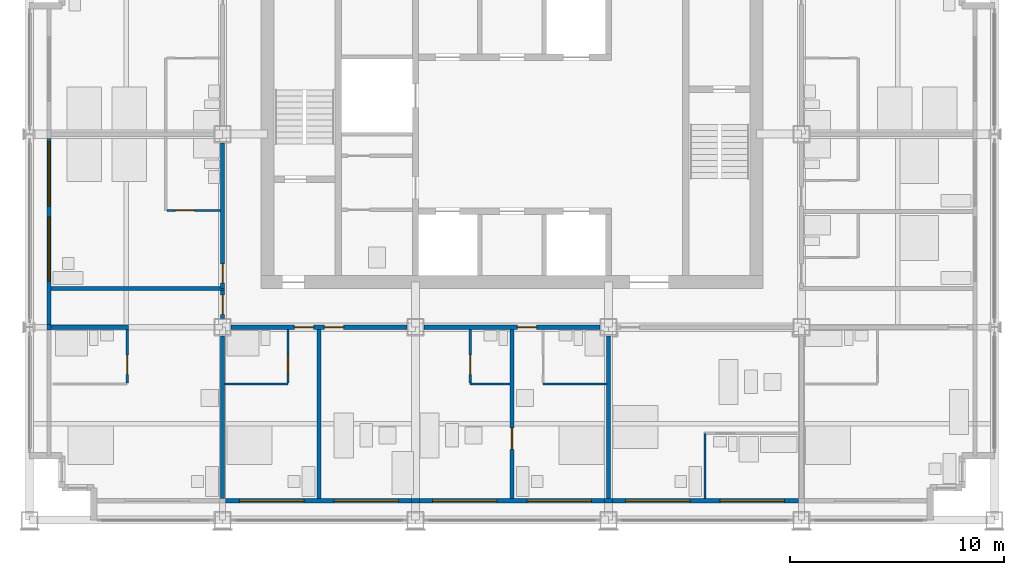
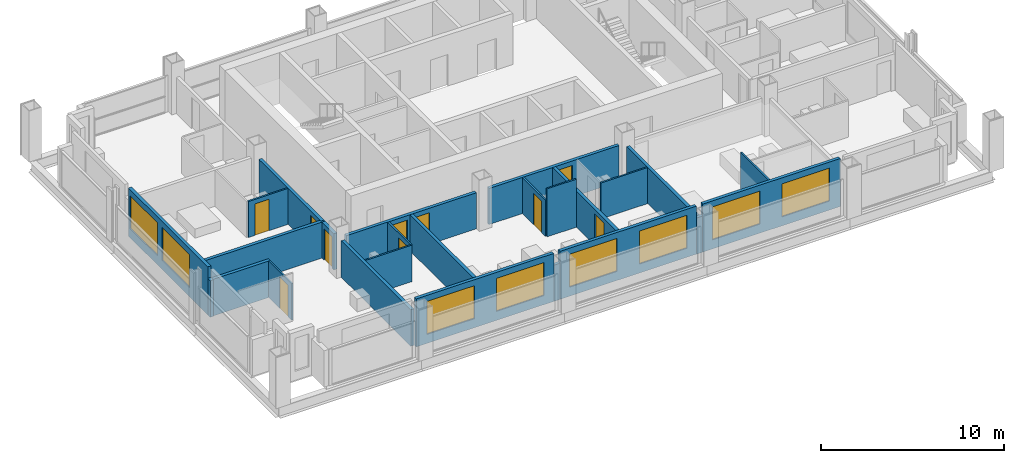
# One storey, part 7 of 13: 25 walls, 10 doors, 8 windows, 18 openings.
"""IFC4 building model written with IfcOpenShell, lengths in metres."""

from ifc_helpers import new_model, si_unit, direction, frame, frame_2d, origin, place, context, subcontext, project, spatial, rectangle, extrude, material, layer, layer_set, type_object, element, fill, save


model = new_model("IFC4")

# Units and contexts
model_context = context("Model", 3, precision=1e-05, world=origin(), true_north=direction((0.0, 1.0)))
body_context = subcontext(model_context, "Body", "Model", "MODEL_VIEW")
ifc_project = project(units=[si_unit("LENGTHUNIT", "METRE"), si_unit("AREAUNIT", "SQUARE_METRE"), si_unit("VOLUMEUNIT", "CUBIC_METRE"), si_unit("PLANEANGLEUNIT", "RADIAN"), si_unit("MASSUNIT", "GRAM", prefix="KILO")], contexts=[model_context])

# Site, building, storey
site_placement = place(None, origin())
site = spatial("IfcSite", under=ifc_project, at=site_placement, CompositionType="ELEMENT")
building_placement = place(site_placement, origin())
building = spatial("IfcBuilding", under=site, at=building_placement, Name="Loomwork Tower", CompositionType="ELEMENT")
storey_placement = place(building_placement, frame((0.0, 0.0, 201.199951171875)))
storey = spatial("IfcBuildingStorey", under=building, at=storey_placement, Name="L55", CompositionType="ELEMENT", Elevation=201.199951171875)

# Wall
ifc_material_1 = material(Name="Gypsum board on steel studs, one-hour", Category="steel")
ifc_layer_1 = layer(ifc_material_1, 0.199951171875)
ifc_layer_set_1 = layer_set([ifc_layer_1], Name="Corridor wall 200")
wall_type_1 = type_object("IfcWallType", Name="Corridor wall 200", PredefinedType="PARTITIONING", material=ifc_layer_set_1)
wall_1_placement = place(storey_placement, frame((1.0, 9.0, 0.0), z_axis=(0.0, 0.0, 1.0), x_axis=(1.0, 0.0, 0.0)))
element("IfcWall", 1, at=wall_1_placement, inside=storey, type_object=wall_type_1, Name="South corridor wall 1", PredefinedType="PARTITIONING", context=body_context, shape_type="SweptSolid", body=[
    extrude(rectangle(XDim=3.60009765625, YDim=0.199951171875, at=frame_2d((1.800048828125, 0.0))), origin(), (0.0, 0.0, 1.0), 2.43798828125),
])

# Wall, openings, doors
wall_2_placement = place(storey_placement, frame((9.39990234375, 9.0, 0.0), z_axis=(0.0, 0.0, 1.0), x_axis=(1.0, 0.0, 0.0)))
wall_2 = element("IfcWall", 2, at=wall_2_placement, inside=storey, type_object=wall_type_1, Name="South corridor wall 2", PredefinedType="PARTITIONING", context=body_context, shape_type="SweptSolid", body=[
    extrude(rectangle(XDim=8.2001953125, YDim=0.199951171875, at=frame_2d((4.10009765625, 0.0))), origin(), (0.0, 0.0, 1.0), 2.405029296875),
])
opening_1_placement = place(wall_2_placement, frame((2.949951171875, 0.0, 0.0)))
opening_1 = element("IfcOpeningElement", 3, at=opening_1_placement, cuts=wall_2, Name="Opening D1", PredefinedType="OPENING", context=body_context, shape_type="SweptSolid", body=[
    extrude(rectangle(XDim=0.89990234375, YDim=2.10009765625, at=frame_2d((0.449951171875, 1.050048828125))), frame((0.0, 0.10986328125, 0.0), z_axis=(0.0, -1.0, 0.0), x_axis=(1.0, 0.0, 0.0)), (0.0, 0.0, 1.0), 0.219970703125),
])
opening_2_placement = place(wall_2_placement, frame((4.35009765625, 0.0, 0.0)))
opening_2 = element("IfcOpeningElement", 4, at=opening_2_placement, cuts=wall_2, Name="Opening D1", PredefinedType="OPENING", context=body_context, shape_type="SweptSolid", body=[
    extrude(rectangle(XDim=0.89990234375, YDim=2.10009765625, at=frame_2d((0.449951171875, 1.050048828125))), frame((0.0, 0.10986328125, 0.0), z_axis=(0.0, -1.0, 0.0), x_axis=(1.0, 0.0, 0.0)), (0.0, 0.0, 1.0), 0.219970703125),
])
ifc_material_2 = material(Name="Hollow metal door and frame")
door_type_1 = type_object("IfcDoorType", Name="Guest room entry door 900", OperationType="SINGLE_SWING_LEFT", PredefinedType="DOOR", material=ifc_material_2)
door_1_placement = place(opening_1_placement, frame((0.89990234375, 0.0, 0.0), z_axis=(0.0, 0.0, 1.0), x_axis=(-1.0, 0.0, 0.0)))
door_1 = element("IfcDoor", 5, at=door_1_placement, inside=storey, type_object=door_type_1, Name="Guest room entry door L55 2", OperationType="SINGLE_SWING_LEFT", OverallHeight=2.10009765625, OverallWidth=0.89990234375, PredefinedType="DOOR", context=body_context, shape_type="SweptSolid", body=[
    extrude(rectangle(XDim=0.89990234375, YDim=2.10009765625, at=frame_2d((0.449951171875, 1.050048828125))), frame((0.0, 0.02490234375, 0.0), z_axis=(0.0, -1.0, 0.0), x_axis=(1.0, 0.0, 0.0)), (0.0, 0.0, 1.0), 0.050048828125),
])
fill(opening_1, door_1)
door_2_placement = place(opening_2_placement, frame((0.89990234375, 0.0, 0.0), z_axis=(0.0, 0.0, 1.0), x_axis=(-1.0, 0.0, 0.0)))
door_2 = element("IfcDoor", 6, at=door_2_placement, inside=storey, type_object=door_type_1, Name="Guest room entry door L55 3", OperationType="SINGLE_SWING_RIGHT", OverallHeight=2.10009765625, OverallWidth=0.89990234375, PredefinedType="DOOR", context=body_context, shape_type="SweptSolid", body=[
    extrude(rectangle(XDim=0.89990234375, YDim=2.10009765625, at=frame_2d((0.449951171875, 1.050048828125))), frame((0.0, 0.02490234375, 0.0), z_axis=(0.0, -1.0, 0.0), x_axis=(1.0, 0.0, 0.0)), (0.0, 0.0, 1.0), 0.050048828125),
])
fill(opening_2, door_2)

# Wall, opening, door
wall_3_placement = place(storey_placement, frame((18.39990234375, 9.0, 0.0), z_axis=(0.0, 0.0, 1.0), x_axis=(1.0, 0.0, 0.0)))
wall_3 = element("IfcWall", 7, at=wall_3_placement, inside=storey, type_object=wall_type_1, Name="South corridor wall 3", PredefinedType="PARTITIONING", context=body_context, shape_type="SweptSolid", body=[
    extrude(rectangle(XDim=8.2001953125, YDim=0.199951171875, at=frame_2d((4.10009765625, 0.0))), origin(), (0.0, 0.0, 1.0), 2.405029296875),
])
opening_3_placement = place(wall_3_placement, frame((4.35009765625, 0.0, 0.0)))
opening_3 = element("IfcOpeningElement", 8, at=opening_3_placement, cuts=wall_3, Name="Opening D1", PredefinedType="OPENING", context=body_context, shape_type="SweptSolid", body=[
    extrude(rectangle(XDim=0.89990234375, YDim=2.10009765625, at=frame_2d((0.449951171875, 1.050048828125))), frame((0.0, 0.10986328125, 0.0), z_axis=(0.0, -1.0, 0.0), x_axis=(1.0, 0.0, 0.0)), (0.0, 0.0, 1.0), 0.219970703125),
])
door_3_placement = place(opening_3_placement, frame((0.89990234375, 0.0, 0.0), z_axis=(0.0, 0.0, 1.0), x_axis=(-1.0, 0.0, 0.0)))
door_3 = element("IfcDoor", 9, at=door_3_placement, inside=storey, type_object=door_type_1, Name="Guest room entry door L55 4", OperationType="SINGLE_SWING_RIGHT", OverallHeight=2.10009765625, OverallWidth=0.89990234375, PredefinedType="DOOR", context=body_context, shape_type="SweptSolid", body=[
    extrude(rectangle(XDim=0.89990234375, YDim=2.10009765625, at=frame_2d((0.449951171875, 1.050048828125))), frame((0.0, 0.02490234375, 0.0), z_axis=(0.0, -1.0, 0.0), x_axis=(1.0, 0.0, 0.0)), (0.0, 0.0, 1.0), 0.050048828125),
])
fill(opening_3, door_3)

wall_4_placement = place(storey_placement, frame((9.0, 10.800048828125, 0.0), z_axis=(0.0, 0.0, 1.0), x_axis=(0.0, 1.0, 0.0)))
wall_4 = element("IfcWall", 10, at=wall_4_placement, inside=storey, type_object=wall_type_1, Name="West corridor wall 1", PredefinedType="PARTITIONING", context=body_context, shape_type="SweptSolid", body=[
    extrude(rectangle(XDim=6.800048828125, YDim=0.199951171875, at=frame_2d((3.39990234375, 0.0))), origin(), (0.0, 0.0, 1.0), 2.405029296875),
])
opening_4_placement = place(wall_4_placement, frame((0.25, 0.0, 0.0)))
opening_4 = element("IfcOpeningElement", 11, at=opening_4_placement, cuts=wall_4, Name="Opening D1", PredefinedType="OPENING", context=body_context, shape_type="SweptSolid", body=[
    extrude(rectangle(XDim=0.89990234375, YDim=2.10009765625, at=frame_2d((0.449951171875, 1.050048828125))), frame((0.0, 0.10986328125, 0.0), z_axis=(0.0, -1.0, 0.0), x_axis=(1.0, 0.0, 0.0)), (0.0, 0.0, 1.0), 0.219970703125),
])
door_4_placement = place(opening_4_placement, origin())
door_4 = element("IfcDoor", 12, at=door_4_placement, inside=storey, type_object=door_type_1, Name="Guest room entry door L55 7", OperationType="SINGLE_SWING_LEFT", OverallHeight=2.10009765625, OverallWidth=0.89990234375, PredefinedType="DOOR", context=body_context, shape_type="SweptSolid", body=[
    extrude(rectangle(XDim=0.89990234375, YDim=2.10009765625, at=frame_2d((0.449951171875, 1.050048828125))), frame((0.0, 0.02490234375, 0.0), z_axis=(0.0, -1.0, 0.0), x_axis=(1.0, 0.0, 0.0)), (0.0, 0.0, 1.0), 0.050048828125),
])
fill(opening_4, door_4)

# Wall
wall_5_placement = place(storey_placement, frame((1.0, 10.800048828125, 0.0), z_axis=(0.0, 0.0, 1.0), x_axis=(1.0, 0.0, 0.0)))
element("IfcWall", 13, at=wall_5_placement, inside=storey, type_object=wall_type_1, Name="West band end wall S", PredefinedType="PARTITIONING", context=body_context, shape_type="SweptSolid", body=[
    extrude(rectangle(XDim=8.10009765625, YDim=0.199951171875, at=frame_2d((4.050048828125, 0.0))), origin(), (0.0, 0.0, 1.0), 2.404052734375),
])

# Wall, opening, door
wall_6_placement = place(storey_placement, frame((9.0, 9.39990234375, 0.0), z_axis=(0.0, 0.0, 1.0), x_axis=(0.0, 1.0, 0.0)))
wall_6 = element("IfcWall", 14, at=wall_6_placement, inside=storey, type_object=wall_type_1, Name="Corner suite foyer wall", PredefinedType="PARTITIONING", context=body_context, shape_type="SweptSolid", body=[
    extrude(rectangle(XDim=1.300048828125, YDim=0.199951171875, at=frame_2d((0.64990234375, 0.0))), origin(), (0.0, 0.0, 1.0), 2.405029296875),
])
opening_5_placement = place(wall_6_placement, frame((0.199951171875, 0.0, 0.0)))
opening_5 = element("IfcOpeningElement", 15, at=opening_5_placement, cuts=wall_6, Name="Opening D1", PredefinedType="OPENING", context=body_context, shape_type="SweptSolid", body=[
    extrude(rectangle(XDim=0.89990234375, YDim=2.10009765625, at=frame_2d((0.449951171875, 1.050048828125))), frame((0.0, 0.10986328125, 0.0), z_axis=(0.0, -1.0, 0.0), x_axis=(1.0, 0.0, 0.0)), (0.0, 0.0, 1.0), 0.219970703125),
])
door_5_placement = place(opening_5_placement, origin())
door_5 = element("IfcDoor", 16, at=door_5_placement, inside=storey, type_object=door_type_1, Name="Guest room entry door L55 1", OperationType="SINGLE_SWING_RIGHT", OverallHeight=2.10009765625, OverallWidth=0.89990234375, PredefinedType="DOOR", context=body_context, shape_type="SweptSolid", body=[
    extrude(rectangle(XDim=0.89990234375, YDim=2.10009765625, at=frame_2d((0.449951171875, 1.050048828125))), frame((0.0, 0.02490234375, 0.0), z_axis=(0.0, -1.0, 0.0), x_axis=(1.0, 0.0, 0.0)), (0.0, 0.0, 1.0), 0.050048828125),
])
fill(opening_5, door_5)

ifc_material_3 = material(Name="Cement board on steel studs", Category="steel")
ifc_layer_2 = layer(ifc_material_3, 0.10009765625)
ifc_layer_set_2 = layer_set([ifc_layer_2], Name="En-suite partition 100")
wall_type_2 = type_object("IfcWallType", Name="En-suite partition 100", PredefinedType="PARTITIONING", material=ifc_layer_set_2)
wall_7_placement = place(storey_placement, frame((4.550048828125, 8.89990234375, 0.0), z_axis=(0.0, 0.0, 1.0), x_axis=(0.0, -1.0, 0.0)))
wall_7 = element("IfcWall", 17, at=wall_7_placement, inside=storey, type_object=wall_type_2, Name="En-suite side wall L55 room 1", PredefinedType="PARTITIONING", context=body_context, shape_type="SweptSolid", body=[
    extrude(rectangle(XDim=2.5, YDim=0.10009765625, at=frame_2d((1.25, 0.0))), origin(), (0.0, 0.0, 1.0), 2.43798828125),
])
opening_6_placement = place(wall_7_placement, frame((1.199951171875, 0.0, 0.0)))
opening_6 = element("IfcOpeningElement", 18, at=opening_6_placement, cuts=wall_7, Name="Opening D3", PredefinedType="OPENING", context=body_context, shape_type="SweptSolid", body=[
    extrude(rectangle(XDim=0.89990234375, YDim=2.10009765625, at=frame_2d((0.449951171875, 1.050048828125))), frame((0.0, 0.06005859375, 0.0), z_axis=(0.0, -1.0, 0.0), x_axis=(1.0, 0.0, 0.0)), (0.0, 0.0, 1.0), 0.1201171875),
])
ifc_material_4 = material(Name="Hollow metal door and frame")
door_type_2 = type_object("IfcDoorType", Name="Accessible en-suite door 900", OperationType="SLIDING_TO_LEFT", PredefinedType="DOOR", material=ifc_material_4)
door_6_placement = place(opening_6_placement, origin())
door_6 = element("IfcDoor", 19, at=door_6_placement, inside=storey, type_object=door_type_2, Name="Accessible en-suite door room 1", OperationType="SLIDING_TO_LEFT", OverallHeight=2.10009765625, OverallWidth=0.89990234375, PredefinedType="DOOR", context=body_context, shape_type="SweptSolid", body=[
    extrude(rectangle(XDim=0.89990234375, YDim=2.10009765625, at=frame_2d((0.449951171875, 1.050048828125))), frame((0.0, 0.02490234375, 0.0), z_axis=(0.0, -1.0, 0.0), x_axis=(1.0, 0.0, 0.0)), (0.0, 0.0, 1.0), 0.050048828125),
])
fill(opening_6, door_6)

# Wall
wall_8_placement = place(storey_placement, frame((9.10009765625, 6.35009765625, 0.0), z_axis=(0.0, 0.0, 1.0), x_axis=(1.0, 0.0, 0.0)))
element("IfcWall", 20, at=wall_8_placement, inside=storey, type_object=wall_type_2, Name="En-suite wall L55 room 2", PredefinedType="PARTITIONING", context=body_context, shape_type="SweptSolid", body=[
    extrude(rectangle(XDim=2.949951171875, YDim=0.10009765625, at=frame_2d((1.47509765625, 0.0))), origin(), (0.0, 0.0, 1.0), 2.43798828125),
])

# Wall, opening, door
wall_9_placement = place(storey_placement, frame((12.050048828125, 8.89990234375, 0.0), z_axis=(0.0, 0.0, 1.0), x_axis=(0.0, -1.0, 0.0)))
wall_9 = element("IfcWall", 21, at=wall_9_placement, inside=storey, type_object=wall_type_2, Name="En-suite side wall L55 room 2", PredefinedType="PARTITIONING", context=body_context, shape_type="SweptSolid", body=[
    extrude(rectangle(XDim=2.5, YDim=0.10009765625, at=frame_2d((1.25, 0.0))), origin(), (0.0, 0.0, 1.0), 2.404052734375),
])
opening_7_placement = place(wall_9_placement, frame((1.199951171875, 0.0, 0.0)))
opening_7 = element("IfcOpeningElement", 22, at=opening_7_placement, cuts=wall_9, Name="Opening D3", PredefinedType="OPENING", context=body_context, shape_type="SweptSolid", body=[
    extrude(rectangle(XDim=0.89990234375, YDim=2.10009765625, at=frame_2d((0.449951171875, 1.050048828125))), frame((0.0, 0.06005859375, 0.0), z_axis=(0.0, -1.0, 0.0), x_axis=(1.0, 0.0, 0.0)), (0.0, 0.0, 1.0), 0.1201171875),
])
door_7_placement = place(opening_7_placement, origin())
door_7 = element("IfcDoor", 23, at=door_7_placement, inside=storey, type_object=door_type_2, Name="Accessible en-suite door room 2", OperationType="SLIDING_TO_LEFT", OverallHeight=2.10009765625, OverallWidth=0.89990234375, PredefinedType="DOOR", context=body_context, shape_type="SweptSolid", body=[
    extrude(rectangle(XDim=0.89990234375, YDim=2.10009765625, at=frame_2d((0.449951171875, 1.050048828125))), frame((0.0, 0.02490234375, 0.0), z_axis=(0.0, -1.0, 0.0), x_axis=(1.0, 0.0, 0.0)), (0.0, 0.0, 1.0), 0.050048828125),
])
fill(opening_7, door_7)

# Wall
wall_10_placement = place(storey_placement, frame((20.550048828125, 6.35009765625, 0.0), z_axis=(0.0, 0.0, 1.0), x_axis=(1.0, 0.0, 0.0)))
element("IfcWall", 24, at=wall_10_placement, inside=storey, type_object=wall_type_2, Name="En-suite wall L55 room 3", PredefinedType="PARTITIONING", context=body_context, shape_type="SweptSolid", body=[
    extrude(rectangle(XDim=1.849853515625, YDim=0.10009765625, at=frame_2d((0.9248046875, 0.0))), origin(), (0.0, 0.0, 1.0), 3.199951171875),
])

# Wall, opening, door
wall_11_placement = place(storey_placement, frame((20.550048828125, 8.89990234375, 0.0), z_axis=(0.0, 0.0, 1.0), x_axis=(0.0, -1.0, 0.0)))
wall_11 = element("IfcWall", 25, at=wall_11_placement, inside=storey, type_object=wall_type_2, Name="En-suite side wall L55 room 3", PredefinedType="PARTITIONING", context=body_context, shape_type="SweptSolid", body=[
    extrude(rectangle(XDim=2.5, YDim=0.10009765625, at=frame_2d((1.25, 0.0))), origin(), (0.0, 0.0, 1.0), 2.404052734375),
])
opening_8_placement = place(wall_11_placement, frame((1.199951171875, 0.0, 0.0)))
opening_8 = element("IfcOpeningElement", 26, at=opening_8_placement, cuts=wall_11, Name="Opening D2", PredefinedType="OPENING", context=body_context, shape_type="SweptSolid", body=[
    extrude(rectangle(XDim=0.89990234375, YDim=2.10009765625, at=frame_2d((0.449951171875, 1.050048828125))), frame((0.0, 0.06005859375, 0.0), z_axis=(0.0, -1.0, 0.0), x_axis=(1.0, 0.0, 0.0)), (0.0, 0.0, 1.0), 0.1201171875),
])
ifc_material_5 = material(Name="Hollow metal door and frame")
door_type_3 = type_object("IfcDoorType", Name="En-suite door 900", OperationType="SINGLE_SWING_LEFT", PredefinedType="DOOR", material=ifc_material_5)
door_8_placement = place(opening_8_placement, origin())
door_8 = element("IfcDoor", 27, at=door_8_placement, inside=storey, type_object=door_type_3, Name="Suite powder room door room 3", OperationType="SINGLE_SWING_RIGHT", OverallHeight=2.10009765625, OverallWidth=0.89990234375, PredefinedType="DOOR", context=body_context, shape_type="SweptSolid", body=[
    extrude(rectangle(XDim=0.89990234375, YDim=2.10009765625, at=frame_2d((0.449951171875, 1.050048828125))), frame((0.0, 0.02490234375, 0.0), z_axis=(0.0, -1.0, 0.0), x_axis=(1.0, 0.0, 0.0)), (0.0, 0.0, 1.0), 0.050048828125),
])
fill(opening_8, door_8)

# Walls
wall_12_placement = place(storey_placement, frame((23.949951171875, 6.35009765625, 0.0), z_axis=(0.0, 0.0, 1.0), x_axis=(1.0, 0.0, 0.0)))
element("IfcWall", 28, at=wall_12_placement, inside=storey, type_object=wall_type_2, Name="En-suite wall L55 room 4", PredefinedType="PARTITIONING", context=body_context, shape_type="SweptSolid", body=[
    extrude(rectangle(XDim=2.949951171875, YDim=0.10009765625, at=frame_2d((1.47509765625, 0.0))), origin(), (0.0, 0.0, 1.0), 2.404052734375),
])
wall_13_placement = place(storey_placement, frame((31.5, 4.050048828125, 0.0), z_axis=(0.0, 0.0, 1.0), x_axis=(0.0, -1.0, 0.0)))
element("IfcWall", 29, at=wall_13_placement, inside=storey, type_object=wall_type_2, Name="Spa bathroom side wall L55 room 5", PredefinedType="PARTITIONING", context=body_context, shape_type="SweptSolid", body=[
    extrude(rectangle(XDim=3.050048828125, YDim=0.10009765625, at=frame_2d((1.52490234375, 0.0))), origin(), (0.0, 0.0, 1.0), 3.199951171875),
])

# Wall, opening, door
wall_14_placement = place(storey_placement, frame((8.89990234375, 14.449951171875, 0.0), z_axis=(0.0, 0.0, 1.0), x_axis=(-1.0, 0.0, 0.0)))
wall_14 = element("IfcWall", 30, at=wall_14_placement, inside=storey, type_object=wall_type_2, Name="En-suite side wall L55 room 7", PredefinedType="PARTITIONING", context=body_context, shape_type="SweptSolid", body=[
    extrude(rectangle(XDim=2.5, YDim=0.10009765625, at=frame_2d((1.25, 0.0))), origin(), (0.0, 0.0, 1.0), 2.404052734375),
])
opening_9_placement = place(wall_14_placement, frame((1.199951171875, 0.0, 0.0)))
opening_9 = element("IfcOpeningElement", 31, at=opening_9_placement, cuts=wall_14, Name="Opening D2", PredefinedType="OPENING", context=body_context, shape_type="SweptSolid", body=[
    extrude(rectangle(XDim=0.89990234375, YDim=2.10009765625, at=frame_2d((0.449951171875, 1.050048828125))), frame((0.0, 0.06005859375, 0.0), z_axis=(0.0, -1.0, 0.0), x_axis=(1.0, 0.0, 0.0)), (0.0, 0.0, 1.0), 0.1201171875),
])
door_9_placement = place(opening_9_placement, frame((0.89990234375, 0.0, 0.0), z_axis=(0.0, 0.0, 1.0), x_axis=(-1.0, 0.0, 0.0)))
door_9 = element("IfcDoor", 32, at=door_9_placement, inside=storey, type_object=door_type_3, Name="En-suite door room 7", OperationType="SINGLE_SWING_LEFT", OverallHeight=2.10009765625, OverallWidth=0.89990234375, PredefinedType="DOOR", context=body_context, shape_type="SweptSolid", body=[
    extrude(rectangle(XDim=0.89990234375, YDim=2.10009765625, at=frame_2d((0.449951171875, 1.050048828125))), frame((0.0, 0.02490234375, 0.0), z_axis=(0.0, -1.0, 0.0), x_axis=(1.0, 0.0, 0.0)), (0.0, 0.0, 1.0), 0.050048828125),
])
fill(opening_9, door_9)

# Walls
ifc_material_6 = material(Name="Gypsum board on steel studs, acoustic", Category="steel")
ifc_layer_3 = layer(ifc_material_6, 0.199951171875)
ifc_layer_set_3 = layer_set([ifc_layer_3], Name="Guest room party wall 200")
wall_type_3 = type_object("IfcWallType", Name="Guest room party wall 200", PredefinedType="PARTITIONING", material=ifc_layer_set_3)
wall_15_placement = place(storey_placement, frame((9.0, 8.60009765625, 0.0), z_axis=(0.0, 0.0, 1.0), x_axis=(0.0, -1.0, 0.0)))
element("IfcWall", 33, at=wall_15_placement, inside=storey, type_object=wall_type_3, Name="Guest room party wall S 9", PredefinedType="PARTITIONING", context=body_context, shape_type="SweptSolid", body=[
    extrude(rectangle(XDim=7.60009765625, YDim=0.199951171875, at=frame_2d((3.800048828125, 0.0))), origin(), (0.0, 0.0, 1.0), 2.43798828125),
])
wall_16_placement = place(storey_placement, frame((13.5, 8.89990234375, 0.0), z_axis=(0.0, 0.0, 1.0), x_axis=(0.0, -1.0, 0.0)))
element("IfcWall", 34, at=wall_16_placement, inside=storey, type_object=wall_type_3, Name="Guest room party wall S 13.5", PredefinedType="PARTITIONING", context=body_context, shape_type="SweptSolid", body=[
    extrude(rectangle(XDim=7.89990234375, YDim=0.199951171875, at=frame_2d((3.949951171875, 0.0))), origin(), (0.0, 0.0, 1.0), 2.404052734375),
])

# Wall, opening, door
wall_17_placement = place(storey_placement, frame((22.5, 8.89990234375, 0.0), z_axis=(0.0, 0.0, 1.0), x_axis=(0.0, -1.0, 0.0)))
wall_17 = element("IfcWall", 35, at=wall_17_placement, inside=storey, type_object=wall_type_3, Name="Guest room party wall S 22.5", PredefinedType="PARTITIONING", context=body_context, shape_type="SweptSolid", body=[
    extrude(rectangle(XDim=7.89990234375, YDim=0.199951171875, at=frame_2d((3.949951171875, 0.0))), origin(), (0.0, 0.0, 1.0), 2.404052734375),
])
opening_10_placement = place(wall_17_placement, frame((4.60009765625, 0.0, 0.0)))
opening_10 = element("IfcOpeningElement", 36, at=opening_10_placement, cuts=wall_17, Name="Opening D7", PredefinedType="OPENING", context=body_context, shape_type="SweptSolid", body=[
    extrude(rectangle(XDim=1.0, YDim=2.10009765625, at=frame_2d((0.5, 1.050048828125))), frame((0.0, 0.10986328125, 0.0), z_axis=(0.0, -1.0, 0.0), x_axis=(1.0, 0.0, 0.0)), (0.0, 0.0, 1.0), 0.219970703125),
])
ifc_material_7 = material(Name="Hollow metal door and frame")
door_type_4 = type_object("IfcDoorType", Name="Room door 1000", OperationType="SINGLE_SWING_LEFT", PredefinedType="DOOR", material=ifc_material_7)
door_10_placement = place(opening_10_placement, origin())
door_10 = element("IfcDoor", 37, at=door_10_placement, inside=storey, type_object=door_type_4, Name="Suite connecting door L55 S 22.5", OperationType="SINGLE_SWING_LEFT", OverallHeight=2.10009765625, OverallWidth=1.0, PredefinedType="DOOR", context=body_context, shape_type="SweptSolid", body=[
    extrude(rectangle(XDim=1.0, YDim=2.10009765625, at=frame_2d((0.5, 1.050048828125))), frame((0.0, 0.02490234375, 0.0), z_axis=(0.0, -1.0, 0.0), x_axis=(1.0, 0.0, 0.0)), (0.0, 0.0, 1.0), 0.050048828125),
])
fill(opening_10, door_10)

# Wall
wall_18_placement = place(storey_placement, frame((27.0, 8.60009765625, 0.0), z_axis=(0.0, 0.0, 1.0), x_axis=(0.0, -1.0, 0.0)))
element("IfcWall", 38, at=wall_18_placement, inside=storey, type_object=wall_type_3, Name="Guest room party wall S 27", PredefinedType="PARTITIONING", context=body_context, shape_type="SweptSolid", body=[
    extrude(rectangle(XDim=7.60009765625, YDim=0.199951171875, at=frame_2d((3.800048828125, 0.0))), origin(), (0.0, 0.0, 1.0), 2.405029296875),
])

# Wall, openings, windows
ifc_material_8 = material(Name="Insulated steel stud wall with gypsum lining", Category="steel")
ifc_layer_4 = layer(ifc_material_8, 0.199951171875)
ifc_layer_set_4 = layer_set([ifc_layer_4], Name="Inner skin wall 200")
wall_type_4 = type_object("IfcWallType", Name="Inner skin wall 200", PredefinedType="SOLIDWALL", material=ifc_layer_set_4)
wall_19_placement = place(storey_placement, frame((9.13525390625, 0.89990234375, 0.0), z_axis=(0.0, 0.0, 1.0), x_axis=(1.0, 0.0, 0.0)))
wall_19 = element("IfcWall", 39, at=wall_19_placement, inside=storey, type_object=wall_type_4, Name="Inner skin wall S bay 3", PredefinedType="SOLIDWALL", context=body_context, shape_type="SweptSolid", body=[
    extrude(rectangle(XDim=8.6708984375, YDim=0.199951171875, at=frame_2d((4.33544921875, 0.0))), origin(), (0.0, 0.0, 1.0), 3.199951171875),
])
opening_11_placement = place(wall_19_placement, frame((0.664794921875, 0.0, 0.60009765625)))
opening_11 = element("IfcOpeningElement", 40, at=opening_11_placement, cuts=wall_19, Name="Opening CH1", PredefinedType="OPENING", context=body_context, shape_type="SweptSolid", body=[
    extrude(rectangle(XDim=3.0, YDim=2.199951171875, at=frame_2d((1.5, 1.10009765625))), frame((0.0, 0.10986328125, 0.0), z_axis=(0.0, -1.0, 0.0), x_axis=(1.0, 0.0, 0.0)), (0.0, 0.0, 1.0), 0.219970703125),
])
opening_12_placement = place(wall_19_placement, frame((5.064697265625, 0.0, 0.60009765625)))
opening_12 = element("IfcOpeningElement", 41, at=opening_12_placement, cuts=wall_19, Name="Opening CH1", PredefinedType="OPENING", context=body_context, shape_type="SweptSolid", body=[
    extrude(rectangle(XDim=3.0, YDim=2.199951171875, at=frame_2d((1.5, 1.10009765625))), frame((0.0, 0.10986328125, 0.0), z_axis=(0.0, -1.0, 0.0), x_axis=(1.0, 0.0, 0.0)), (0.0, 0.0, 1.0), 0.219970703125),
])
ifc_material_9 = material(Name="Aluminium frame with clear insulated glass", Category="aluminium")
window_type = type_object("IfcWindowType", Name="Chicago window 3000", PartitioningType="TRIPLE_PANEL_VERTICAL", PredefinedType="WINDOW", material=ifc_material_9)
window_1_placement = place(opening_11_placement, origin())
window_1 = element("IfcWindow", 42, at=window_1_placement, inside=storey, type_object=window_type, Name="Chicago window L55 bay 2", OverallHeight=2.199951171875, OverallWidth=3.0, PartitioningType="TRIPLE_PANEL_VERTICAL", PredefinedType="WINDOW", context=body_context, shape_type="SweptSolid", body=[
    extrude(rectangle(XDim=3.0, YDim=2.199951171875, at=frame_2d((1.5, 1.10009765625))), frame((0.0, 0.030029296875, 0.0), z_axis=(0.0, -1.0, 0.0), x_axis=(1.0, 0.0, 0.0)), (0.0, 0.0, 1.0), 0.06005859375),
])
fill(opening_11, window_1)
window_2_placement = place(opening_12_placement, origin())
window_2 = element("IfcWindow", 43, at=window_2_placement, inside=storey, type_object=window_type, Name="Chicago window L55 bay 2", OverallHeight=2.199951171875, OverallWidth=3.0, PartitioningType="TRIPLE_PANEL_VERTICAL", PredefinedType="WINDOW", context=body_context, shape_type="SweptSolid", body=[
    extrude(rectangle(XDim=3.0, YDim=2.199951171875, at=frame_2d((1.5, 1.10009765625))), frame((0.0, 0.030029296875, 0.0), z_axis=(0.0, -1.0, 0.0), x_axis=(1.0, 0.0, 0.0)), (0.0, 0.0, 1.0), 0.06005859375),
])
fill(opening_12, window_2)

# Wall
wall_20_placement = place(storey_placement, frame((17.80615234375, 0.89990234375, 0.0), z_axis=(0.0, 0.0, 1.0), x_axis=(1.0, 0.0, 0.0)))
element("IfcWall", 44, at=wall_20_placement, inside=storey, type_object=wall_type_4, Name="Inner skin wall S bay 4", PredefinedType="SOLIDWALL", context=body_context, shape_type="SweptSolid", body=[
    extrude(rectangle(XDim=0.3876953125, YDim=0.199951171875, at=frame_2d((0.19384765625, 0.0))), origin(), (0.0, 0.0, 1.0), 2.404052734375),
])

# Wall, openings, windows
wall_21_placement = place(storey_placement, frame((18.19384765625, 0.89990234375, 0.0), z_axis=(0.0, 0.0, 1.0), x_axis=(1.0, 0.0, 0.0)))
wall_21 = element("IfcWall", 45, at=wall_21_placement, inside=storey, type_object=wall_type_4, Name="Inner skin wall S bay 5", PredefinedType="SOLIDWALL", context=body_context, shape_type="SweptSolid", body=[
    extrude(rectangle(XDim=8.6123046875, YDim=0.199951171875, at=frame_2d((4.30615234375, 0.0))), origin(), (0.0, 0.0, 1.0), 3.199951171875),
])
opening_13_placement = place(wall_21_placement, frame((0.606201171875, 0.0, 0.60009765625)))
opening_13 = element("IfcOpeningElement", 46, at=opening_13_placement, cuts=wall_21, Name="Opening CH1", PredefinedType="OPENING", context=body_context, shape_type="SweptSolid", body=[
    extrude(rectangle(XDim=3.0, YDim=2.199951171875, at=frame_2d((1.5, 1.10009765625))), frame((0.0, 0.10986328125, 0.0), z_axis=(0.0, -1.0, 0.0), x_axis=(1.0, 0.0, 0.0)), (0.0, 0.0, 1.0), 0.219970703125),
])
opening_14_placement = place(wall_21_placement, frame((5.006103515625, 0.0, 0.60009765625)))
opening_14 = element("IfcOpeningElement", 47, at=opening_14_placement, cuts=wall_21, Name="Opening CH1", PredefinedType="OPENING", context=body_context, shape_type="SweptSolid", body=[
    extrude(rectangle(XDim=3.0, YDim=2.199951171875, at=frame_2d((1.5, 1.10009765625))), frame((0.0, 0.10986328125, 0.0), z_axis=(0.0, -1.0, 0.0), x_axis=(1.0, 0.0, 0.0)), (0.0, 0.0, 1.0), 0.219970703125),
])
window_3_placement = place(opening_13_placement, origin())
window_3 = element("IfcWindow", 48, at=window_3_placement, inside=storey, type_object=window_type, Name="Chicago window L55 bay 3", OverallHeight=2.199951171875, OverallWidth=3.0, PartitioningType="TRIPLE_PANEL_VERTICAL", PredefinedType="WINDOW", context=body_context, shape_type="SweptSolid", body=[
    extrude(rectangle(XDim=3.0, YDim=2.199951171875, at=frame_2d((1.5, 1.10009765625))), frame((0.0, 0.030029296875, 0.0), z_axis=(0.0, -1.0, 0.0), x_axis=(1.0, 0.0, 0.0)), (0.0, 0.0, 1.0), 0.06005859375),
])
fill(opening_13, window_3)
window_4_placement = place(opening_14_placement, origin())
window_4 = element("IfcWindow", 49, at=window_4_placement, inside=storey, type_object=window_type, Name="Chicago window L55 bay 3", OverallHeight=2.199951171875, OverallWidth=3.0, PartitioningType="TRIPLE_PANEL_VERTICAL", PredefinedType="WINDOW", context=body_context, shape_type="SweptSolid", body=[
    extrude(rectangle(XDim=3.0, YDim=2.199951171875, at=frame_2d((1.5, 1.10009765625))), frame((0.0, 0.030029296875, 0.0), z_axis=(0.0, -1.0, 0.0), x_axis=(1.0, 0.0, 0.0)), (0.0, 0.0, 1.0), 0.06005859375),
])
fill(opening_14, window_4)

# Wall
wall_22_placement = place(storey_placement, frame((26.80615234375, 0.89990234375, 0.0), z_axis=(0.0, 0.0, 1.0), x_axis=(1.0, 0.0, 0.0)))
element("IfcWall", 50, at=wall_22_placement, inside=storey, type_object=wall_type_4, Name="Inner skin wall S bay 6", PredefinedType="SOLIDWALL", context=body_context, shape_type="SweptSolid", body=[
    extrude(rectangle(XDim=0.3876953125, YDim=0.199951171875, at=frame_2d((0.19384765625, 0.0))), origin(), (0.0, 0.0, 1.0), 2.404052734375),
])

# Wall, openings, windows
wall_23_placement = place(storey_placement, frame((27.19384765625, 0.89990234375, 0.0), z_axis=(0.0, 0.0, 1.0), x_axis=(1.0, 0.0, 0.0)))
wall_23 = element("IfcWall", 51, at=wall_23_placement, inside=storey, type_object=wall_type_4, Name="Inner skin wall S bay 7", PredefinedType="SOLIDWALL", context=body_context, shape_type="SweptSolid", body=[
    extrude(rectangle(XDim=8.670654296875, YDim=0.199951171875, at=frame_2d((4.33544921875, 0.0))), origin(), (0.0, 0.0, 1.0), 3.199951171875),
])
opening_15_placement = place(wall_23_placement, frame((0.606201171875, 0.0, 0.60009765625)))
opening_15 = element("IfcOpeningElement", 52, at=opening_15_placement, cuts=wall_23, Name="Opening CH1", PredefinedType="OPENING", context=body_context, shape_type="SweptSolid", body=[
    extrude(rectangle(XDim=3.0, YDim=2.199951171875, at=frame_2d((1.5, 1.10009765625))), frame((0.0, 0.10986328125, 0.0), z_axis=(0.0, -1.0, 0.0), x_axis=(1.0, 0.0, 0.0)), (0.0, 0.0, 1.0), 0.219970703125),
])
opening_16_placement = place(wall_23_placement, frame((5.006103515625, 0.0, 0.60009765625)))
opening_16 = element("IfcOpeningElement", 53, at=opening_16_placement, cuts=wall_23, Name="Opening CH1", PredefinedType="OPENING", context=body_context, shape_type="SweptSolid", body=[
    extrude(rectangle(XDim=3.0, YDim=2.199951171875, at=frame_2d((1.5, 1.10009765625))), frame((0.0, 0.10986328125, 0.0), z_axis=(0.0, -1.0, 0.0), x_axis=(1.0, 0.0, 0.0)), (0.0, 0.0, 1.0), 0.219970703125),
])
window_5_placement = place(opening_15_placement, origin())
window_5 = element("IfcWindow", 54, at=window_5_placement, inside=storey, type_object=window_type, Name="Chicago window L55 bay 4", OverallHeight=2.199951171875, OverallWidth=3.0, PartitioningType="TRIPLE_PANEL_VERTICAL", PredefinedType="WINDOW", context=body_context, shape_type="SweptSolid", body=[
    extrude(rectangle(XDim=3.0, YDim=2.199951171875, at=frame_2d((1.5, 1.10009765625))), frame((0.0, 0.030029296875, 0.0), z_axis=(0.0, -1.0, 0.0), x_axis=(1.0, 0.0, 0.0)), (0.0, 0.0, 1.0), 0.06005859375),
])
fill(opening_15, window_5)
window_6_placement = place(opening_16_placement, origin())
window_6 = element("IfcWindow", 55, at=window_6_placement, inside=storey, type_object=window_type, Name="Chicago window L55 bay 4", OverallHeight=2.199951171875, OverallWidth=3.0, PartitioningType="TRIPLE_PANEL_VERTICAL", PredefinedType="WINDOW", context=body_context, shape_type="SweptSolid", body=[
    extrude(rectangle(XDim=3.0, YDim=2.199951171875, at=frame_2d((1.5, 1.10009765625))), frame((0.0, 0.030029296875, 0.0), z_axis=(0.0, -1.0, 0.0), x_axis=(1.0, 0.0, 0.0)), (0.0, 0.0, 1.0), 0.06005859375),
])
fill(opening_16, window_6)

# Wall
wall_24_placement = place(storey_placement, frame((0.89990234375, 8.86474609375, 0.0), z_axis=(0.0, 0.0, 1.0), x_axis=(0.0, 1.0, 0.0)))
element("IfcWall", 56, at=wall_24_placement, inside=storey, type_object=wall_type_4, Name="Inner skin wall W bay 4", PredefinedType="SOLIDWALL", context=body_context, shape_type="SweptSolid", body=[
    extrude(rectangle(XDim=0.2705078125, YDim=0.199951171875, at=frame_2d((0.13525390625, 0.0))), origin(), (0.0, 0.0, 1.0), 2.43798828125),
])

# Wall, openings, windows
wall_25_placement = place(storey_placement, frame((0.89990234375, 9.13525390625, 0.0), z_axis=(0.0, 0.0, 1.0), x_axis=(0.0, 1.0, 0.0)))
wall_25 = element("IfcWall", 57, at=wall_25_placement, inside=storey, type_object=wall_type_4, Name="Inner skin wall W bay 5", PredefinedType="SOLIDWALL", context=body_context, shape_type="SweptSolid", body=[
    extrude(rectangle(XDim=8.6708984375, YDim=0.199951171875, at=frame_2d((4.33544921875, 0.0))), origin(), (0.0, 0.0, 1.0), 3.199951171875),
])
opening_17_placement = place(wall_25_placement, frame((2.0146484375, 0.0, 0.60009765625)))
opening_17 = element("IfcOpeningElement", 58, at=opening_17_placement, cuts=wall_25, Name="Opening CH1", PredefinedType="OPENING", context=body_context, shape_type="SweptSolid", body=[
    extrude(rectangle(XDim=3.0, YDim=2.199951171875, at=frame_2d((1.5, 1.10009765625))), frame((0.0, 0.10986328125, 0.0), z_axis=(0.0, -1.0, 0.0), x_axis=(1.0, 0.0, 0.0)), (0.0, 0.0, 1.0), 0.219970703125),
])
opening_18_placement = place(wall_25_placement, frame((5.5146484375, 0.0, 0.60009765625)))
opening_18 = element("IfcOpeningElement", 59, at=opening_18_placement, cuts=wall_25, Name="Opening CH1", PredefinedType="OPENING", context=body_context, shape_type="SweptSolid", body=[
    extrude(rectangle(XDim=3.0, YDim=2.199951171875, at=frame_2d((1.5, 1.10009765625))), frame((0.0, 0.10986328125, 0.0), z_axis=(0.0, -1.0, 0.0), x_axis=(1.0, 0.0, 0.0)), (0.0, 0.0, 1.0), 0.219970703125),
])
window_7_placement = place(opening_17_placement, origin())
window_7 = element("IfcWindow", 60, at=window_7_placement, inside=storey, type_object=window_type, Name="Chicago window L55 bay 6", OverallHeight=2.199951171875, OverallWidth=3.0, PartitioningType="TRIPLE_PANEL_VERTICAL", PredefinedType="WINDOW", context=body_context, shape_type="SweptSolid", body=[
    extrude(rectangle(XDim=3.0, YDim=2.199951171875, at=frame_2d((1.5, 1.10009765625))), frame((0.0, 0.030029296875, 0.0), z_axis=(0.0, -1.0, 0.0), x_axis=(1.0, 0.0, 0.0)), (0.0, 0.0, 1.0), 0.06005859375),
])
fill(opening_17, window_7)
window_8_placement = place(opening_18_placement, origin())
window_8 = element("IfcWindow", 61, at=window_8_placement, inside=storey, type_object=window_type, Name="Chicago window L55 bay 6", OverallHeight=2.199951171875, OverallWidth=3.0, PartitioningType="TRIPLE_PANEL_VERTICAL", PredefinedType="WINDOW", context=body_context, shape_type="SweptSolid", body=[
    extrude(rectangle(XDim=3.0, YDim=2.199951171875, at=frame_2d((1.5, 1.10009765625))), frame((0.0, 0.030029296875, 0.0), z_axis=(0.0, -1.0, 0.0), x_axis=(1.0, 0.0, 0.0)), (0.0, 0.0, 1.0), 0.06005859375),
])
fill(opening_18, window_8)

save(model, "model.ifc")
